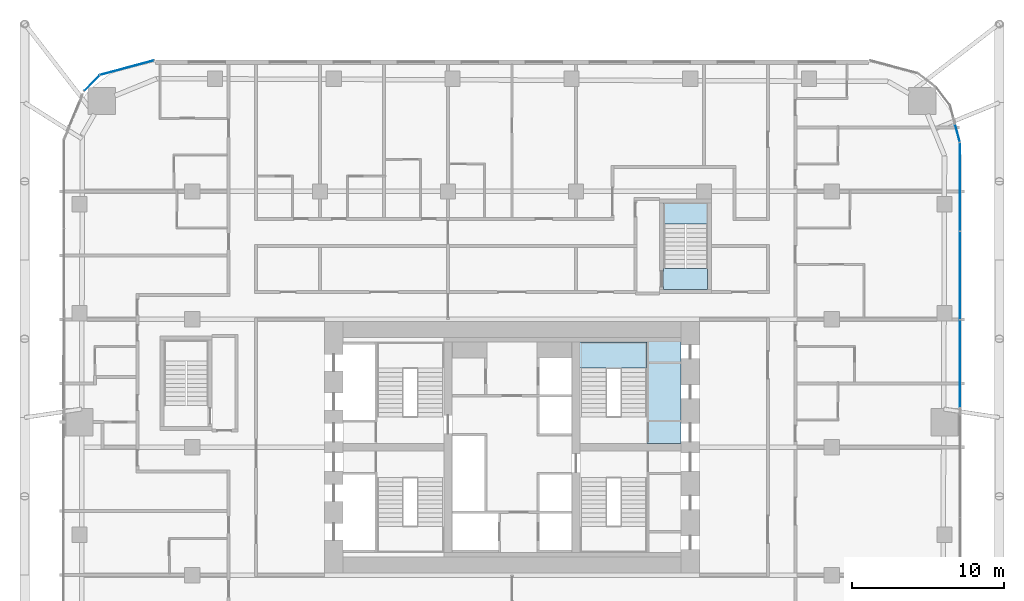
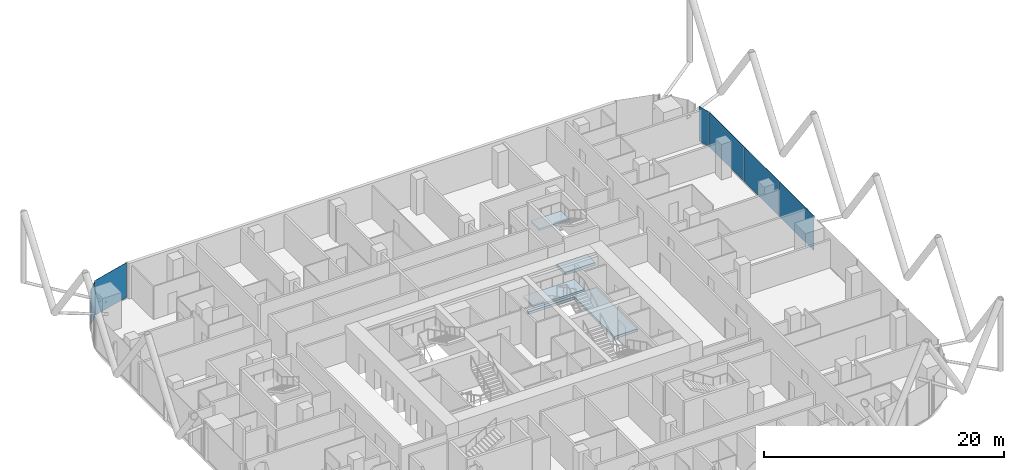
# One storey, part 26 of 38: 6 plates, 4 slabs, 6 elements without a shape of their own.
"""IFC4 building model written with IfcOpenShell, lengths in metres."""

from ifc_helpers import new_model, si_unit, direction, frame, origin, origin_2d, place, context, subcontext, project, spatial, polyline, rectangle, outline, extrude, material, layer, layer_set, type_object, element, aggregate, save


model = new_model("IFC4")

# Units and contexts
model_context = context("Model", 3, precision=1e-05, world=origin(), true_north=direction((0.0, 1.0)))
body_context = subcontext(model_context, "Body", "Model", "MODEL_VIEW")
ifc_project = project(units=[si_unit("LENGTHUNIT", "METRE"), si_unit("AREAUNIT", "SQUARE_METRE"), si_unit("VOLUMEUNIT", "CUBIC_METRE"), si_unit("PLANEANGLEUNIT", "RADIAN"), si_unit("MASSUNIT", "GRAM", prefix="KILO")], contexts=[model_context])

# Site, building, storey
site_placement = place(None, origin())
site = spatial("IfcSite", under=ifc_project, at=site_placement, CompositionType="ELEMENT")
building_placement = place(site_placement, origin())
building = spatial("IfcBuilding", under=site, at=building_placement, Name="Marenta Gate Hotel Tower", CompositionType="ELEMENT")
storey_placement = place(building_placement, frame((0.0, 0.0, 40.10009765625)))
storey = spatial("IfcBuildingStorey", under=building, at=storey_placement, Name="L07", CompositionType="ELEMENT", Elevation=40.10009765625)

# Slab
ifc_material_1 = material(Name="Concrete C40", Category="concrete")
ifc_layer_1 = layer(ifc_material_1, 0.260009765625)
ifc_layer_set_1 = layer_set([ifc_layer_1], Name="Concrete C40")
slab_type_1 = type_object("IfcSlabType", Name="Core floor slab 260", PredefinedType="FLOOR", material=ifc_layer_set_1)
slab_1_placement = place(storey_placement, frame((0.0, 0.0, -0.260009765625)))
element("IfcSlab", 1, at=slab_1_placement, inside=storey, type_object=slab_type_1, Name="L07-CF-3", PredefinedType="FLOOR", context=body_context, shape_type="SweptSolid", body=[
    extrude(outline(polyline([(8.85009765625, 15.300048828125), (4.449951171875, 15.300048828125), (4.449951171875, 15.60009765625), (11.10009765625, 15.60009765625), (11.10009765625, 8.64990234375), (8.85009765625, 8.64990234375), (8.85009765625, 8.699951171875), (8.85009765625, 10.39990234375), (8.85009765625, 15.300048828125)])), origin(), (0.0, 0.0, 1.0), 0.260009765625),
])

# Stair, slab
ifc_material_2 = material(Name="Concrete C40", Category="concrete")
stair_type_1 = type_object("IfcStairType", Name="Core exit stair 1700 wide", PredefinedType="HALF_TURN_STAIR", material=ifc_material_2)
stair_1_placement = place(storey_placement, origin())
stair_1 = element("IfcStair", 2, at=stair_1_placement, inside=storey, type_object=stair_type_1, Name="Exit stair 4", PredefinedType="HALF_TURN_STAIR")
ifc_material_3 = material(Name="Concrete C40", Category="concrete")
ifc_layer_2 = layer(ifc_material_3, 0.199951171875)
ifc_layer_set_2 = layer_set([ifc_layer_2], Name="Concrete C40")
slab_type_2 = type_object("IfcSlabType", Name="Core stair landing 200", PredefinedType="LANDING", material=ifc_layer_set_2)
slab_2_placement = place(storey_placement, frame((0.0, 0.0, 1.599853515625)))
slab_2 = element("IfcSlab", 3, at=slab_2_placement, type_object=slab_type_2, Name="SL-200 ST4 landing 1", PredefinedType="LANDING", context=body_context, shape_type="SweptSolid", body=[
    extrude(outline(polyline([(3.949951171875, 13.590087890625), (8.85009765625, 13.590087890625), (8.85009765625, 15.300048828125), (3.949951171875, 15.300048828125), (3.949951171875, 13.590087890625)])), origin(), (0.0, 0.0, 1.0), 0.199951171875),
])
aggregate(stair_1, [slab_2])

# Curtain wall, plate
ifc_material_4 = material(Name="Tinted insulated glass in bronze anodised frame", Category="glass")
ifc_layer_3 = layer(ifc_material_4, 0.1201171875)
ifc_layer_set_3 = layer_set([ifc_layer_3], Name="Tinted insulated glass in bronze anodised frame")
curtain_wall_type = type_object("IfcCurtainWallType", Name="Tower unitised curtain wall CW1", PredefinedType="NOTDEFINED", material=ifc_layer_set_3)
curtain_wall_1_placement = place(storey_placement, origin())
curtain_wall_1 = element("IfcCurtainWall", 4, at=curtain_wall_1_placement, inside=storey, type_object=curtain_wall_type, Name="CW1 run G00", PredefinedType="NOTDEFINED")
ifc_material_5 = material(Name="Tinted insulated glass", Category="glass")
ifc_layer_4 = layer(ifc_material_5, 0.028076171875)
ifc_layer_set_4 = layer_set([ifc_layer_4], Name="Tinted insulated glass")
plate_type = type_object("IfcPlateType", Name="Glass panel CW1 28 mm tinted insulated unit", PredefinedType="CURTAIN_PANEL", material=ifc_layer_set_4)
plate_1_placement = place(storey_placement, frame((-25.277099609375, 33.3232421875, 0.059814453125), z_axis=(0.0, 0.0, 1.0), x_axis=(-0.965930485164, -0.258801657317, 0.0)))
plate_1 = element("IfcPlate", 5, at=plate_1_placement, type_object=plate_type, Name="CW1 panel 1.1", PredefinedType="CURTAIN_PANEL", context=body_context, shape_type="SweptSolid", body=[
    extrude(rectangle(XDim=3.64990234375, YDim=0.028076171875, at=origin_2d()), origin(), (0.0, 0.0, 1.0), 3.5400390625),
])
aggregate(curtain_wall_1, [plate_1])

curtain_wall_2_placement = place(storey_placement, origin())
curtain_wall_2 = element("IfcCurtainWall", 6, at=curtain_wall_2_placement, inside=storey, type_object=curtain_wall_type, Name="CW1 run G01", PredefinedType="NOTDEFINED")
plate_2_placement = place(storey_placement, frame((-27.58544921875, 32.305419921875, 0.059814453125), z_axis=(0.0, 0.0, 1.0), x_axis=(-0.707106781187, -0.707106781187, 0.0)))
plate_2 = element("IfcPlate", 7, at=plate_2_placement, type_object=plate_type, Name="CW1 panel 1.1", PredefinedType="CURTAIN_PANEL", context=body_context, shape_type="SweptSolid", body=[
    extrude(rectangle(XDim=1.4228515625, YDim=0.028076171875, at=origin_2d()), origin(), (0.0, 0.0, 1.0), 3.5400390625),
])
aggregate(curtain_wall_2, [plate_2])

# Curtain wall, plates
curtain_wall_3_placement = place(storey_placement, origin())
curtain_wall_3 = element("IfcCurtainWall", 8, at=curtain_wall_3_placement, inside=storey, type_object=curtain_wall_type, Name="CW1 run G34", PredefinedType="NOTDEFINED")
plate_3_placement = place(storey_placement, frame((29.4140625, 13.89306640625, 0.059814453125), z_axis=(0.0, 0.0, 1.0), x_axis=(0.0, 1.0, 0.0)))
plate_3 = element("IfcPlate", 9, at=plate_3_placement, type_object=plate_type, Name="CW1 panel 1.1", PredefinedType="CURTAIN_PANEL", context=body_context, shape_type="SweptSolid", body=[
    extrude(rectangle(XDim=5.715576171875, YDim=0.028076171875, at=origin_2d()), origin(), (0.0, 0.0, 1.0), 3.5400390625),
])
plate_4_placement = place(storey_placement, frame((29.4140625, 19.68359375, 0.059814453125), z_axis=(0.0, 0.0, 1.0), x_axis=(0.0, 1.0, 0.0)))
plate_4 = element("IfcPlate", 10, at=plate_4_placement, type_object=plate_type, Name="CW1 panel 2.1", PredefinedType="CURTAIN_PANEL", context=body_context, shape_type="SweptSolid", body=[
    extrude(rectangle(XDim=5.74560546875, YDim=0.028076171875, at=origin_2d()), origin(), (0.0, 0.0, 1.0), 3.5400390625),
])
plate_5_placement = place(storey_placement, frame((29.4140625, 25.504150390625, 0.059814453125), z_axis=(0.0, 0.0, 1.0), x_axis=(0.0, 1.0, 0.0)))
plate_5 = element("IfcPlate", 11, at=plate_5_placement, type_object=plate_type, Name="CW1 panel 3.1", PredefinedType="CURTAIN_PANEL", context=body_context, shape_type="SweptSolid", body=[
    extrude(rectangle(XDim=5.775390625, YDim=0.028076171875, at=origin_2d()), origin(), (0.0, 0.0, 1.0), 3.5400390625),
])
aggregate(curtain_wall_3, [plate_3, plate_4, plate_5])

# Curtain wall, plate
curtain_wall_4_placement = place(storey_placement, origin())
curtain_wall_4 = element("IfcCurtainWall", 12, at=curtain_wall_4_placement, inside=storey, type_object=curtain_wall_type, Name="CW1 run G35", PredefinedType="NOTDEFINED")
plate_6_placement = place(storey_placement, frame((29.2451171875, 29.022705078125, 0.059814453125), z_axis=(0.0, 0.0, 1.0), x_axis=(-0.258816313572, 0.965926558196, 0.0)))
plate_6 = element("IfcPlate", 13, at=plate_6_placement, type_object=plate_type, Name="CW1 panel 1.1", PredefinedType="CURTAIN_PANEL", context=body_context, shape_type="SweptSolid", body=[
    extrude(rectangle(XDim=1.18603515625, YDim=0.028076171875, at=origin_2d()), origin(), (0.0, 0.0, 1.0), 3.5400390625),
])
aggregate(curtain_wall_4, [plate_6])

# Stair, slab
ifc_material_6 = material(Name="Concrete C40", Category="concrete")
stair_type_2 = type_object("IfcStairType", Name="Remote exit stair 1400 wide", PredefinedType="HALF_TURN_STAIR", material=ifc_material_6)
stair_2_placement = place(storey_placement, origin())
stair_2 = element("IfcStair", 14, at=stair_2_placement, inside=storey, type_object=stair_type_2, Name="Exit stair RS-Z1-4", PredefinedType="HALF_TURN_STAIR")
ifc_material_7 = material(Name="Concrete C40", Category="concrete")
ifc_layer_5 = layer(ifc_material_7, 0.199951171875)
ifc_layer_set_5 = layer_set([ifc_layer_5], Name="Concrete C40")
slab_type_3 = type_object("IfcSlabType", Name="Remote stair landing 200", PredefinedType="LANDING", material=ifc_layer_set_5)
slab_3_placement = place(storey_placement, frame((0.0, 0.0, 1.599853515625)))
slab_3 = element("IfcSlab", 15, at=slab_3_placement, type_object=slab_type_3, Name="RL-200 RS-Z1-4 landing 1", PredefinedType="LANDING", context=body_context, shape_type="SweptSolid", body=[
    extrude(outline(polyline([(9.949951171875, 23.050048828125), (12.85009765625, 23.050048828125), (12.85009765625, 24.449951171875), (9.949951171875, 24.449951171875), (9.949951171875, 23.050048828125)])), origin(), (0.0, 0.0, 1.0), 0.199951171875),
])
aggregate(stair_2, [slab_3])

# Slab
ifc_material_8 = material(Name="Concrete C40", Category="concrete")
ifc_layer_6 = layer(ifc_material_8, 0.300048828125)
ifc_layer_set_6 = layer_set([ifc_layer_6], Name="Concrete C40")
slab_type_4 = type_object("IfcSlabType", Name="Stair floor landing slab 300", PredefinedType="FLOOR", material=ifc_layer_set_6)
slab_4_placement = place(storey_placement, frame((0.0, 0.0, -0.300048828125)))
element("IfcSlab", 16, at=slab_4_placement, inside=storey, type_object=slab_type_4, Name="L07-RS-Z1-4-CL", PredefinedType="FLOOR", context=body_context, shape_type="SweptSolid", body=[
    extrude(outline(polyline([(12.85009765625, 18.75), (12.85009765625, 20.14990234375), (9.949951171875, 20.14990234375), (9.949951171875, 18.75), (12.85009765625, 18.75)])), origin(), (0.0, 0.0, 1.0), 0.300048828125),
])

save(model, "model.ifc")
